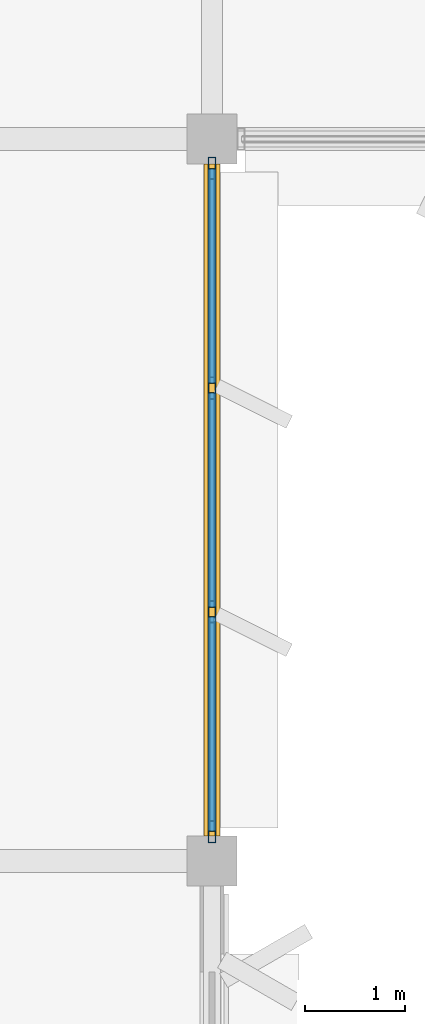
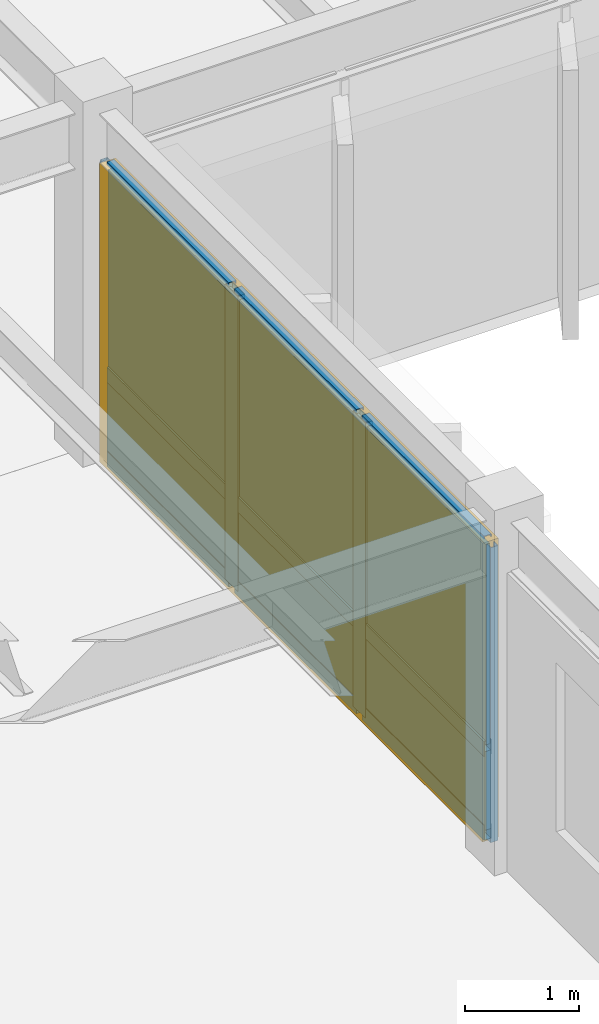
# One storey, part 55 of 82: 13 members, 6 plates, 1 curtain wall.
"""IFC4 building model written with IfcOpenShell, lengths in metres."""

from ifc_helpers import new_model, si_unit, direction, frame, origin, origin_2d, place, context, subcontext, project, spatial, rectangle, hollow_rectangle, extrude, material, layer, layer_set, material_profile, profile_set, type_object, element, aggregate, save


model = new_model("IFC4")

# Units and contexts
model_context = context("Model", 3, precision=1e-05, world=origin(), true_north=direction((0.0, 1.0)))
body_context = subcontext(model_context, "Body", "Model", "MODEL_VIEW")
ifc_project = project(units=[si_unit("LENGTHUNIT", "METRE"), si_unit("AREAUNIT", "SQUARE_METRE"), si_unit("VOLUMEUNIT", "CUBIC_METRE"), si_unit("PLANEANGLEUNIT", "RADIAN"), si_unit("MASSUNIT", "GRAM", prefix="KILO")], contexts=[model_context])

# Member
ifc_material_1 = material(Name="Anodized Aluminium 6063-T6", Category="aluminium")
ifc_material_profile_1 = material_profile(ifc_material_1, hollow_rectangle(XDim=0.074951171875, YDim=0.219970703125, WallThickness=0.0048828125, at=origin_2d()), Name="ALU 75x220x5")
ifc_profile_set_1 = profile_set([ifc_material_profile_1], Name="Anodized Aluminium 6063-T6")
member_type_1 = type_object("IfcMemberType", Name="CWM-75X180", PredefinedType="MULLION", material=ifc_profile_set_1)
site_placement = place(None, origin())
building_placement = place(site_placement, origin())
storey_placement = place(building_placement, frame((0.0, 0.0, 14.10009765625)))
member_1_placement = place(storey_placement, frame((36.0, 78.909912109375, 0.02001953125), z_axis=(0.0, 0.0, 1.0), x_axis=(1.0, 0.0, 0.0)))
member_1 = element("IfcMember", 1, at=member_1_placement, type_object=member_type_1, Name="Curtain wall mullion CW-L04-04-10-E-00", PredefinedType="MULLION", context=body_context, shape_type="SweptSolid", body=[
    extrude(hollow_rectangle(XDim=0.074951171875, YDim=0.219970703125, WallThickness=0.0048828125, at=origin_2d()), origin(), (0.0, 0.0, 1.0), 3.15185546875),
])

member_2_placement = place(storey_placement, frame((36.0, 76.716796875, 0.02001953125), z_axis=(0.0, 0.0, 1.0), x_axis=(1.0, 0.0, 0.0)))
member_2 = element("IfcMember", 2, at=member_2_placement, type_object=member_type_1, Name="Curtain wall mullion CW-L04-04-10-E-01", PredefinedType="MULLION", context=body_context, shape_type="SweptSolid", body=[
    extrude(hollow_rectangle(XDim=0.074951171875, YDim=0.219970703125, WallThickness=0.0048828125, at=origin_2d()), origin(), (0.0, 0.0, 1.0), 3.15185546875),
])

member_3_placement = place(storey_placement, frame((36.0, 74.4833984375, 0.02001953125), z_axis=(0.0, 0.0, 1.0), x_axis=(1.0, 0.0, 0.0)))
member_3 = element("IfcMember", 3, at=member_3_placement, type_object=member_type_1, Name="Curtain wall mullion CW-L04-04-10-E-02", PredefinedType="MULLION", context=body_context, shape_type="SweptSolid", body=[
    extrude(hollow_rectangle(XDim=0.074951171875, YDim=0.219970703125, WallThickness=0.0048828125, at=origin_2d()), origin(), (0.0, 0.0, 1.0), 3.15185546875),
])

member_4_placement = place(storey_placement, frame((36.0, 72.2900390625, 0.02001953125), z_axis=(0.0, 0.0, 1.0), x_axis=(1.0, 0.0, 0.0)))
member_4 = element("IfcMember", 4, at=member_4_placement, type_object=member_type_1, Name="Curtain wall mullion CW-L04-04-10-E-03", PredefinedType="MULLION", context=body_context, shape_type="SweptSolid", body=[
    extrude(hollow_rectangle(XDim=0.074951171875, YDim=0.219970703125, WallThickness=0.0048828125, at=origin_2d()), origin(), (0.0, 0.0, 1.0), 3.15185546875),
])

ifc_material_profile_2 = material_profile(ifc_material_1, hollow_rectangle(XDim=0.074951171875, YDim=0.159912109375, WallThickness=0.00390625, at=origin_2d()), Name="ALU 75x160x4")
ifc_profile_set_2 = profile_set([ifc_material_profile_2], Name="Anodized Aluminium 6063-T6")
member_type_2 = type_object("IfcMemberType", Name="CWT-75X150", PredefinedType="USERDEFINED", material=ifc_profile_set_2)
member_5_placement = place(storey_placement, frame((36.0, 78.89990234375, 0.0498046875), z_axis=(0.0, -1.0, 0.0), x_axis=(1.0, 0.0, 0.0)))
member_5 = element("IfcMember", 5, at=member_5_placement, type_object=member_type_2, Name="Curtain wall transom CW-L04-04-10-E-1.01", ObjectType="TRANSOM", PredefinedType="USERDEFINED", context=body_context, shape_type="SweptSolid", body=[
    extrude(hollow_rectangle(XDim=0.074951171875, YDim=0.159912109375, WallThickness=0.00390625, at=origin_2d()), origin(), (0.0, 0.0, 1.0), 2.13330078125),
])

member_6_placement = place(storey_placement, frame((36.0, 76.666748046875, 0.0498046875), z_axis=(0.0, -1.0, 0.0), x_axis=(1.0, 0.0, 0.0)))
member_6 = element("IfcMember", 6, at=member_6_placement, type_object=member_type_2, Name="Curtain wall transom CW-L04-04-10-E-1.02", ObjectType="TRANSOM", PredefinedType="USERDEFINED", context=body_context, shape_type="SweptSolid", body=[
    extrude(hollow_rectangle(XDim=0.074951171875, YDim=0.159912109375, WallThickness=0.00390625, at=origin_2d()), origin(), (0.0, 0.0, 1.0), 2.133544921875),
])

member_7_placement = place(storey_placement, frame((36.0, 74.433349609375, 0.0498046875), z_axis=(0.0, -1.0, 0.0), x_axis=(1.0, 0.0, 0.0)))
member_7 = element("IfcMember", 7, at=member_7_placement, type_object=member_type_2, Name="Curtain wall transom CW-L04-04-10-E-1.03", ObjectType="TRANSOM", PredefinedType="USERDEFINED", context=body_context, shape_type="SweptSolid", body=[
    extrude(hollow_rectangle(XDim=0.074951171875, YDim=0.159912109375, WallThickness=0.00390625, at=origin_2d()), origin(), (0.0, 0.0, 1.0), 2.13330078125),
])

member_8_placement = place(storey_placement, frame((36.0, 78.89990234375, 0.949951171875), z_axis=(0.0, -1.0, 0.0), x_axis=(1.0, 0.0, 0.0)))
member_8 = element("IfcMember", 8, at=member_8_placement, type_object=member_type_2, Name="Curtain wall transom CW-L04-04-10-E-2.01", ObjectType="TRANSOM", PredefinedType="USERDEFINED", context=body_context, shape_type="SweptSolid", body=[
    extrude(hollow_rectangle(XDim=0.074951171875, YDim=0.159912109375, WallThickness=0.00390625, at=origin_2d()), origin(), (0.0, 0.0, 1.0), 2.13330078125),
])

member_9_placement = place(storey_placement, frame((36.0, 76.666748046875, 0.949951171875), z_axis=(0.0, -1.0, 0.0), x_axis=(1.0, 0.0, 0.0)))
member_9 = element("IfcMember", 9, at=member_9_placement, type_object=member_type_2, Name="Curtain wall transom CW-L04-04-10-E-2.02", ObjectType="TRANSOM", PredefinedType="USERDEFINED", context=body_context, shape_type="SweptSolid", body=[
    extrude(hollow_rectangle(XDim=0.074951171875, YDim=0.159912109375, WallThickness=0.00390625, at=origin_2d()), origin(), (0.0, 0.0, 1.0), 2.133544921875),
])

member_10_placement = place(storey_placement, frame((36.0, 74.433349609375, 0.949951171875), z_axis=(0.0, -1.0, 0.0), x_axis=(1.0, 0.0, 0.0)))
member_10 = element("IfcMember", 10, at=member_10_placement, type_object=member_type_2, Name="Curtain wall transom CW-L04-04-10-E-2.03", ObjectType="TRANSOM", PredefinedType="USERDEFINED", context=body_context, shape_type="SweptSolid", body=[
    extrude(hollow_rectangle(XDim=0.074951171875, YDim=0.159912109375, WallThickness=0.00390625, at=origin_2d()), origin(), (0.0, 0.0, 1.0), 2.13330078125),
])

member_11_placement = place(storey_placement, frame((36.0, 78.89990234375, 3.141845703125), z_axis=(0.0, -1.0, 0.0), x_axis=(1.0, 0.0, 0.0)))
member_11 = element("IfcMember", 11, at=member_11_placement, type_object=member_type_2, Name="Curtain wall transom CW-L04-04-10-E-3.01", ObjectType="TRANSOM", PredefinedType="USERDEFINED", context=body_context, shape_type="SweptSolid", body=[
    extrude(hollow_rectangle(XDim=0.074951171875, YDim=0.159912109375, WallThickness=0.00390625, at=origin_2d()), origin(), (0.0, 0.0, 1.0), 2.13330078125),
])

member_12_placement = place(storey_placement, frame((36.0, 76.666748046875, 3.141845703125), z_axis=(0.0, -1.0, 0.0), x_axis=(1.0, 0.0, 0.0)))
member_12 = element("IfcMember", 12, at=member_12_placement, type_object=member_type_2, Name="Curtain wall transom CW-L04-04-10-E-3.02", ObjectType="TRANSOM", PredefinedType="USERDEFINED", context=body_context, shape_type="SweptSolid", body=[
    extrude(hollow_rectangle(XDim=0.074951171875, YDim=0.159912109375, WallThickness=0.00390625, at=origin_2d()), origin(), (0.0, 0.0, 1.0), 2.133544921875),
])

member_13_placement = place(storey_placement, frame((36.0, 74.433349609375, 3.141845703125), z_axis=(0.0, -1.0, 0.0), x_axis=(1.0, 0.0, 0.0)))
member_13 = element("IfcMember", 13, at=member_13_placement, type_object=member_type_2, Name="Curtain wall transom CW-L04-04-10-E-3.03", ObjectType="TRANSOM", PredefinedType="USERDEFINED", context=body_context, shape_type="SweptSolid", body=[
    extrude(hollow_rectangle(XDim=0.074951171875, YDim=0.159912109375, WallThickness=0.00390625, at=origin_2d()), origin(), (0.0, 0.0, 1.0), 2.13330078125),
])

# Plate
ifc_material_2 = material(Name="Acoustic Laminated Low-E Glazing", Category="glass")
ifc_layer_1 = layer(ifc_material_2, 0.0439453125)
ifc_layer_set_1 = layer_set([ifc_layer_1], Name="Acoustic Laminated Low-E Glazing")
plate_type_1 = type_object("IfcPlateType", Name="CWP-IGU-44", PredefinedType="CURTAIN_PANEL", material=ifc_layer_set_1)
plate_1_placement = place(storey_placement, frame((36.0, 77.833251953125, 0.98974609375), z_axis=(0.0, 0.0, 1.0), x_axis=(0.0, -1.0, 0.0)))
plate_1 = element("IfcPlate", 14, at=plate_1_placement, type_object=plate_type_1, Name="Curtain wall vision glazing CW-L04-04-10-E-01", PredefinedType="CURTAIN_PANEL", context=body_context, shape_type="SweptSolid", body=[
    extrude(rectangle(XDim=2.143310546875, YDim=0.0400390625, at=origin_2d()), origin(), (0.0, 0.0, 1.0), 2.14208984375),
])

plate_2_placement = place(storey_placement, frame((36.0, 75.60009765625, 0.98974609375), z_axis=(0.0, 0.0, 1.0), x_axis=(0.0, -1.0, 0.0)))
plate_2 = element("IfcPlate", 15, at=plate_2_placement, type_object=plate_type_1, Name="Curtain wall vision glazing CW-L04-04-10-E-02", PredefinedType="CURTAIN_PANEL", context=body_context, shape_type="SweptSolid", body=[
    extrude(rectangle(XDim=2.143310546875, YDim=0.0400390625, at=origin_2d()), origin(), (0.0, 0.0, 1.0), 2.14208984375),
])

plate_3_placement = place(storey_placement, frame((36.0, 73.36669921875, 0.98974609375), z_axis=(0.0, 0.0, 1.0), x_axis=(0.0, -1.0, 0.0)))
plate_3 = element("IfcPlate", 16, at=plate_3_placement, type_object=plate_type_1, Name="Curtain wall vision glazing CW-L04-04-10-E-03", PredefinedType="CURTAIN_PANEL", context=body_context, shape_type="SweptSolid", body=[
    extrude(rectangle(XDim=2.143310546875, YDim=0.0400390625, at=origin_2d()), origin(), (0.0, 0.0, 1.0), 2.14208984375),
])

ifc_material_3 = material(Name="Insulated Stone-Composite Spandrel", Category="masonry")
ifc_layer_2 = layer(ifc_material_3, 0.068115234375)
ifc_layer_set_2 = layer_set([ifc_layer_2], Name="Insulated Stone-Composite Spandrel")
plate_type_2 = type_object("IfcPlateType", Name="CWP-SPN-68", PredefinedType="CURTAIN_PANEL", material=ifc_layer_set_2)
plate_4_placement = place(storey_placement, frame((36.0, 77.833251953125, 0.080078125), z_axis=(0.0, 0.0, 1.0), x_axis=(0.0, -1.0, 0.0)))
plate_4 = element("IfcPlate", 17, at=plate_4_placement, type_object=plate_type_2, Name="Curtain wall spandrel panel CW-L04-04-10-E-01", PredefinedType="CURTAIN_PANEL", context=body_context, shape_type="SweptSolid", body=[
    extrude(rectangle(XDim=2.143310546875, YDim=0.06005859375, at=origin_2d()), origin(), (0.0, 0.0, 1.0), 0.840087890625),
])

plate_5_placement = place(storey_placement, frame((36.0, 75.60009765625, 0.080078125), z_axis=(0.0, 0.0, 1.0), x_axis=(0.0, -1.0, 0.0)))
plate_5 = element("IfcPlate", 18, at=plate_5_placement, type_object=plate_type_2, Name="Curtain wall spandrel panel CW-L04-04-10-E-02", PredefinedType="CURTAIN_PANEL", context=body_context, shape_type="SweptSolid", body=[
    extrude(rectangle(XDim=2.143310546875, YDim=0.06005859375, at=origin_2d()), origin(), (0.0, 0.0, 1.0), 0.840087890625),
])

plate_6_placement = place(storey_placement, frame((36.0, 73.36669921875, 0.080078125), z_axis=(0.0, 0.0, 1.0), x_axis=(0.0, -1.0, 0.0)))
plate_6 = element("IfcPlate", 19, at=plate_6_placement, type_object=plate_type_2, Name="Curtain wall spandrel panel CW-L04-04-10-E-03", PredefinedType="CURTAIN_PANEL", context=body_context, shape_type="SweptSolid", body=[
    extrude(rectangle(XDim=2.143310546875, YDim=0.06005859375, at=origin_2d()), origin(), (0.0, 0.0, 1.0), 0.840087890625),
])

# Site, building, storey
site = spatial("IfcSite", under=ifc_project, at=site_placement, CompositionType="ELEMENT")
building = spatial("IfcBuilding", under=site, at=building_placement, Name="Sillqori Civic Hall", CompositionType="ELEMENT")
storey = spatial("IfcBuildingStorey", under=building, at=storey_placement, Name="L04", CompositionType="ELEMENT", Elevation=14.10009765625)

# Curtain wall
ifc_material_4 = material(Name="Anodized Aluminium Curtain Wall System", Category="aluminium")
curtain_wall_type = type_object("IfcCurtainWallType", Name="CW-AD-370", PredefinedType="NOTDEFINED", material=ifc_material_4)
curtain_wall_placement = place(storey_placement, frame((36.0, 75.60009765625, 0.0), z_axis=(0.0, 0.0, 1.0), x_axis=(0.0, -1.0, 0.0)))
curtain_wall = element("IfcCurtainWall", 20, at=curtain_wall_placement, inside=storey, type_object=curtain_wall_type, Name="L04 unitised curtain wall CW-L04-04-10-E", PredefinedType="NOTDEFINED", context=body_context, shape_type="SweptSolid", body=[
    extrude(rectangle(XDim=6.699951171875, YDim=0.159912109375, at=origin_2d()), origin(), (0.0, 0.0, 1.0), 3.19189453125),
])

aggregate(curtain_wall, [member_1, member_2, member_3, member_4, member_5, member_6, member_7, member_8, member_9, member_10, member_11, member_12, member_13, plate_4, plate_1, plate_5, plate_2, plate_6, plate_3])

save(model, "model.ifc")
